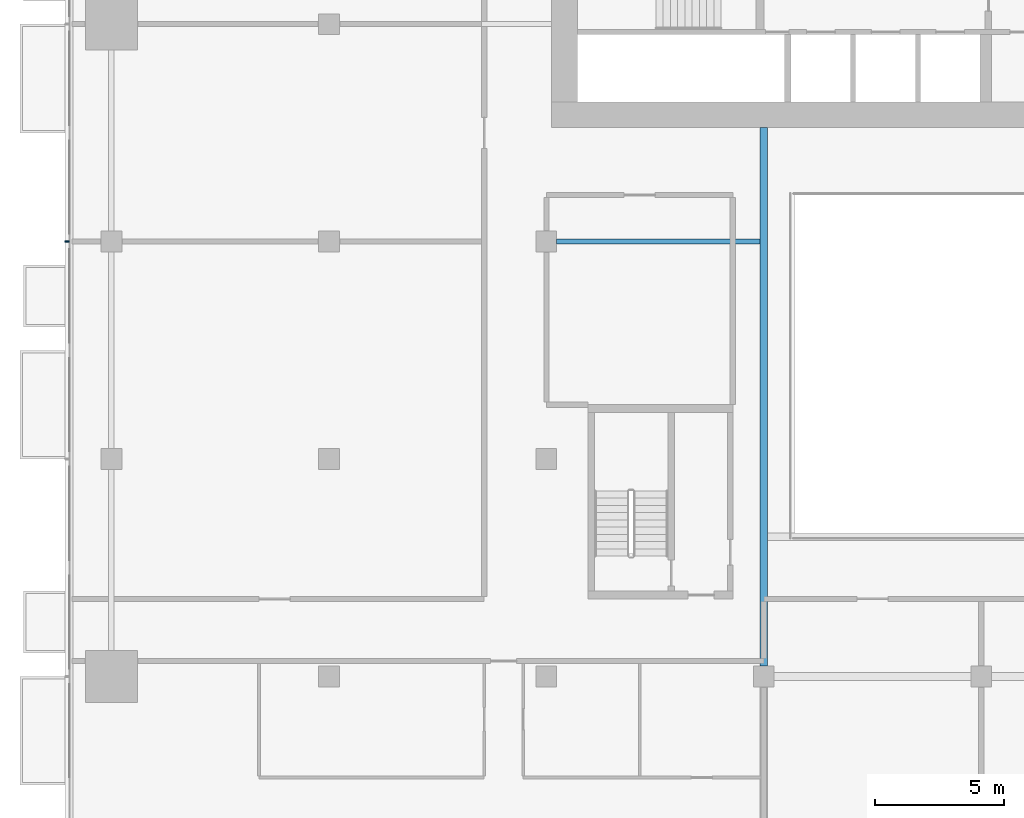
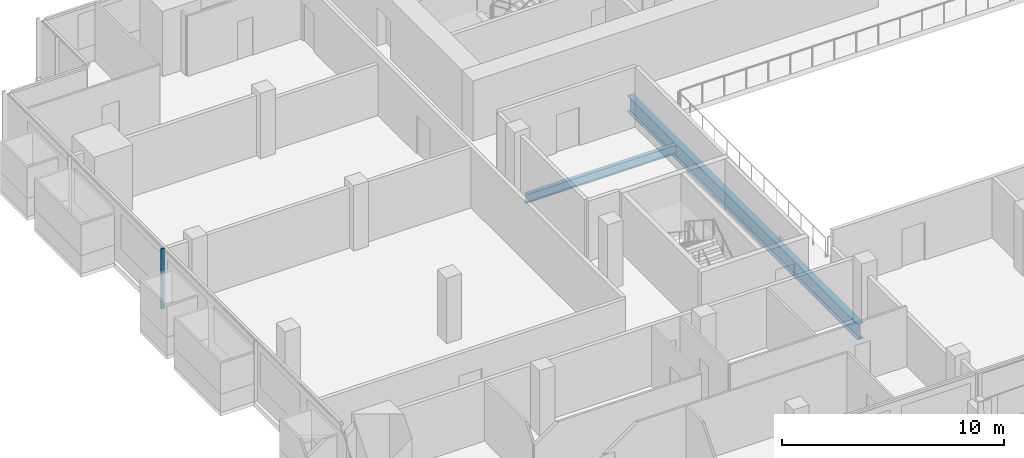
# One storey, part 4 of 26: 2 beams, 1 member, 1 element without a shape of its own.
"""IFC4 building model written with IfcOpenShell, lengths in metres."""

from ifc_helpers import new_model, si_unit, direction, frame, origin, origin_2d, place, context, subcontext, project, spatial, rectangle, i_section, extrude, material, material_profile, profile_set, type_object, element, aggregate, save


model = new_model("IFC4")

# Units and contexts
model_context = context("Model", 3, precision=1e-05, world=origin(), true_north=direction((0.0, 1.0)))
body_context = subcontext(model_context, "Body", "Model", "MODEL_VIEW")
ifc_project = project(units=[si_unit("LENGTHUNIT", "METRE"), si_unit("AREAUNIT", "SQUARE_METRE"), si_unit("VOLUMEUNIT", "CUBIC_METRE"), si_unit("PLANEANGLEUNIT", "RADIAN"), si_unit("MASSUNIT", "GRAM", prefix="KILO")], contexts=[model_context])

# Site, building, storey
site_placement = place(None, origin())
site = spatial("IfcSite", under=ifc_project, at=site_placement, CompositionType="ELEMENT")
building_placement = place(site_placement, origin())
building = spatial("IfcBuilding", under=site, at=building_placement, Name="Saffron Gate Tower", CompositionType="ELEMENT")
storey_placement = place(building_placement, frame((0.0, 0.0, 98.85009765625)))
storey = spatial("IfcBuildingStorey", under=building, at=storey_placement, Name="L22", CompositionType="ELEMENT", Elevation=98.85009765625)

# Beams
ifc_material_1 = material(Name="Structural steel S355", Category="steel")
ifc_material_profile_1 = material_profile(ifc_material_1, i_section(OverallWidth=0.199951171875, OverallDepth=0.5, WebThickness=0.01025390625, FlangeThickness=0.01611328125, FilletRadius=0.02099609375, at=origin_2d()))
ifc_profile_set_1 = profile_set([ifc_material_profile_1], Name="Structural steel S355")
beam_type_1 = type_object("IfcBeamType", Name="B10 IPE 500", PredefinedType="BEAM", material=ifc_profile_set_1)
beam_1_placement = place(storey_placement, frame((67.0, 57.0, -0.530029296875), z_axis=(1.0, 0.0, 0.0), x_axis=(0.0, 1.0, 0.0)))
element("IfcBeam", 1, at=beam_1_placement, inside=storey, type_object=beam_type_1, Name="B10 CORE TIE BEAM", PredefinedType="BEAM", context=body_context, shape_type="SweptSolid", body=[
    extrude(i_section(OverallWidth=0.199951171875, OverallDepth=0.5, WebThickness=0.01025390625, FlangeThickness=0.01611328125, FilletRadius=0.02099609375, at=origin_2d()), origin(), (0.0, 0.0, 1.0), 7.85009765625),
])
ifc_material_profile_2 = material_profile(ifc_material_1, i_section(OverallWidth=0.300048828125, OverallDepth=0.889892578125, WebThickness=0.01611328125, FlangeThickness=0.030029296875, FilletRadius=0.030029296875, at=origin_2d()))
ifc_profile_set_2 = profile_set([ifc_material_profile_2], Name="Structural steel S355")
beam_type_2 = type_object("IfcBeamType", Name="B19 HEA 900", PredefinedType="BEAM", material=ifc_profile_set_2)
beam_2_placement = place(storey_placement, frame((75.0, 40.60009765625, -0.72509765625), z_axis=(0.0, 1.0, 0.0), x_axis=(-1.0, 0.0, 0.0)))
element("IfcBeam", 2, at=beam_2_placement, inside=storey, type_object=beam_type_2, Name="B19 ATRIUM GIRDER", PredefinedType="BEAM", context=body_context, shape_type="SweptSolid", body=[
    extrude(i_section(OverallWidth=0.300048828125, OverallDepth=0.889892578125, WebThickness=0.01611328125, FlangeThickness=0.030029296875, FilletRadius=0.030029296875, at=origin_2d()), origin(), (0.0, 0.0, 1.0), 20.7998046875),
])

# Curtain wall, member
ifc_material_2 = material(Name="Aluminium, bronze anodised", Category="aluminium")
curtain_wall_type = type_object("IfcCurtainWallType", Name="CWS2 curtain wall side facades", PredefinedType="NOTDEFINED", material=ifc_material_2)
curtain_wall_placement = place(storey_placement, origin())
curtain_wall = element("IfcCurtainWall", 3, at=curtain_wall_placement, inside=storey, type_object=curtain_wall_type, Name="CWS2 run 10", PredefinedType="NOTDEFINED")
ifc_material_profile_3 = material_profile(ifc_material_2, rectangle(XDim=0.159912109375, YDim=0.06005859375, at=origin_2d()))
ifc_profile_set_3 = profile_set([ifc_material_profile_3], Name="Aluminium, bronze anodised")
member_type = type_object("IfcMemberType", Name="CWS2 mullion 60x160", PredefinedType="MULLION", material=ifc_profile_set_3)
member_placement = place(storey_placement, frame((48.080078125, 57.0, 0.0), z_axis=(0.0, 0.0, 1.0), x_axis=(1.0, 0.0, 0.0)))
member = element("IfcMember", 4, at=member_placement, type_object=member_type, Name="CWS2 mullion 3", PredefinedType="MULLION", context=body_context, shape_type="SweptSolid", body=[
    extrude(rectangle(XDim=0.159912109375, YDim=0.06005859375, at=origin_2d()), origin(), (0.0, 0.0, 1.0), 3.31982421875),
])
aggregate(curtain_wall, [member])

save(model, "model.ifc")
